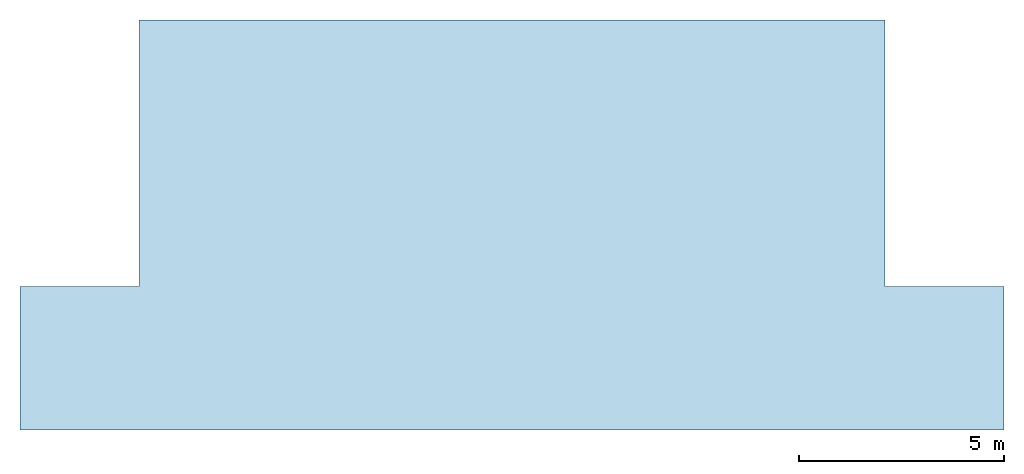
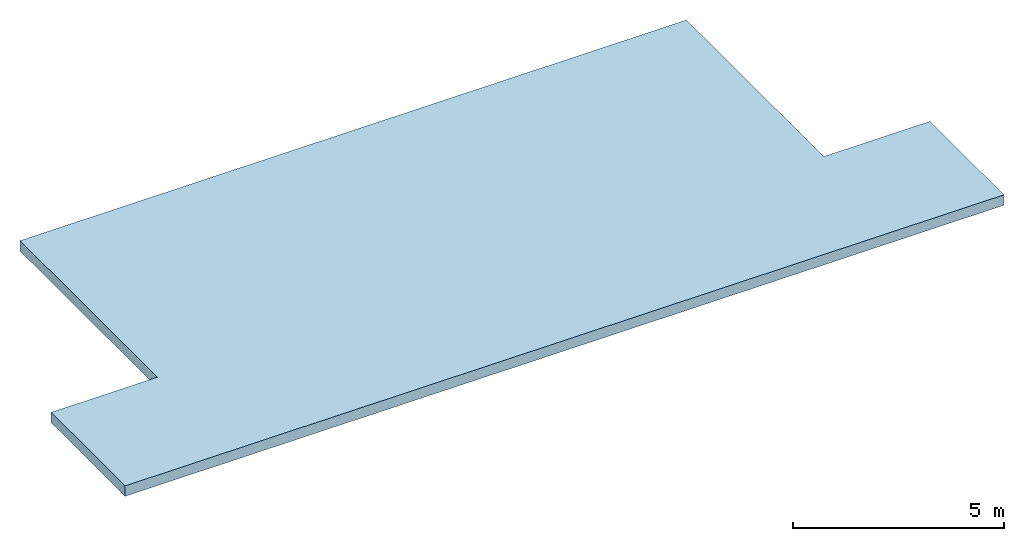
# One storey: 1 slab.
"""IFC4 building model written with IfcOpenShell, lengths in metres."""

from ifc_helpers import new_model, si_unit, direction, frame, origin, place, context, subcontext, project, spatial, polyline, outline, extrude, material, layer, layer_set, type_object, element, save


model = new_model("IFC4")

# Units and contexts
model_context = context("Model", 3, precision=1e-05, world=origin(), true_north=direction((0.0, 1.0)))
body_context = subcontext(model_context, "Body", "Model", "MODEL_VIEW")
ifc_project = project(units=[si_unit("LENGTHUNIT", "METRE"), si_unit("AREAUNIT", "SQUARE_METRE"), si_unit("VOLUMEUNIT", "CUBIC_METRE"), si_unit("PLANEANGLEUNIT", "RADIAN"), si_unit("MASSUNIT", "GRAM", prefix="KILO")], contexts=[model_context])

# Site, building, storey
site_placement = place(None, origin())
site = spatial("IfcSite", under=ifc_project, at=site_placement, CompositionType="ELEMENT")
building_placement = place(site_placement, origin())
building = spatial("IfcBuilding", under=site, at=building_placement, Name="Altiplano Prism Tower", CompositionType="ELEMENT")
storey_placement = place(building_placement, frame((0.0, 0.0, 364.39990234375)))
storey = spatial("IfcBuildingStorey", under=building, at=storey_placement, Name="Roof Level", CompositionType="ELEMENT", Elevation=364.39990234375)

# Slab
ifc_material = material(Name="Concrete C40/50", Category="concrete")
ifc_layer = layer(ifc_material, 0.300048828125)
ifc_layer_set = layer_set([ifc_layer], Name="Concrete C40/50")
slab_type = type_object("IfcSlabType", Name="Core roof slab 300", PredefinedType="ROOF", material=ifc_layer_set)
slab_placement = place(storey_placement, origin())
element("IfcSlab", 1, at=slab_placement, inside=storey, type_object=slab_type, Name="Lift overrun roof", PredefinedType="ROOF", context=body_context, shape_type="SweptSolid", body=[
    extrude(outline(polyline([(75.89990234375, 96.89990234375), (73.0, 96.89990234375), (73.0, 93.39990234375), (97.0, 93.39990234375), (97.0, 96.89990234375), (94.10009765625, 96.89990234375), (94.10009765625, 103.39990234375), (75.89990234375, 103.39990234375), (75.89990234375, 96.89990234375)])), origin(), (0.0, 0.0, 1.0), 0.300048828125),
])

save(model, "model.ifc")
